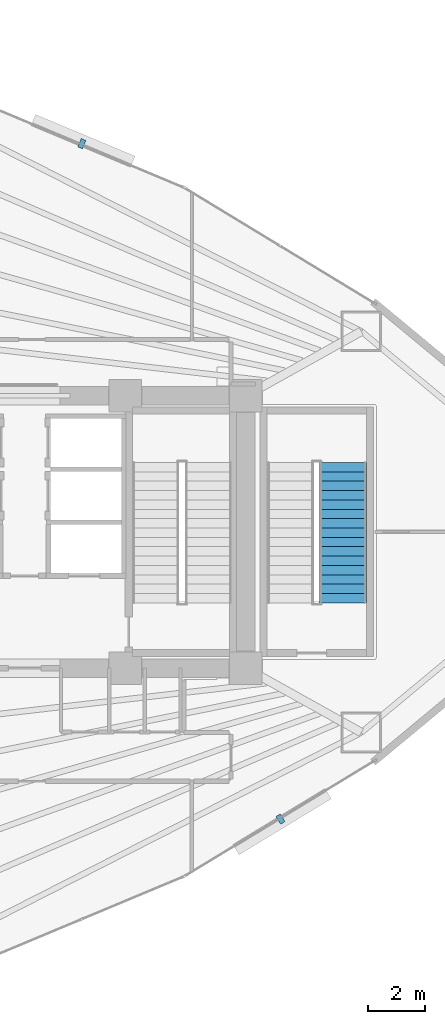
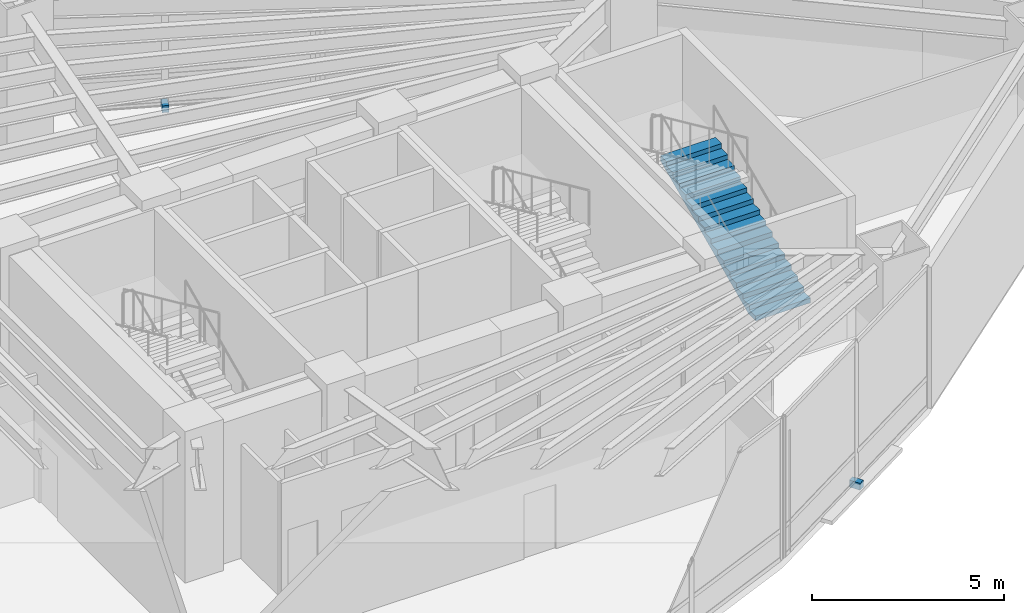
# One storey, part 16 of 18: 2 discrete accessories, 1 stair flight, 1 element without a shape of its own.
"""IFC4 building model written with IfcOpenShell, lengths in metres."""

from ifc_helpers import new_model, si_unit, direction, frame, origin, origin_2d, place, context, subcontext, project, spatial, polyline, rectangle, outline, extrude, material, type_object, element, aggregate, save


model = new_model("IFC4")

# Units and contexts
model_context = context("Model", 3, precision=1e-05, world=origin(), true_north=direction((0.0, 1.0)))
body_context = subcontext(model_context, "Body", "Model", "MODEL_VIEW")
ifc_project = project(units=[si_unit("LENGTHUNIT", "METRE"), si_unit("AREAUNIT", "SQUARE_METRE"), si_unit("VOLUMEUNIT", "CUBIC_METRE"), si_unit("PLANEANGLEUNIT", "RADIAN"), si_unit("MASSUNIT", "GRAM", prefix="KILO")], contexts=[model_context])

# Site, building, storey
site_placement = place(None, origin())
site = spatial("IfcSite", under=ifc_project, at=site_placement, CompositionType="ELEMENT")
building_placement = place(site_placement, origin())
building = spatial("IfcBuilding", under=site, at=building_placement, Name="Menara Vayukalpa", CompositionType="ELEMENT")
storey_placement = place(building_placement, frame((0.0, 0.0, 7.199951171875)))
storey = spatial("IfcBuildingStorey", under=building, at=storey_placement, Name="L01", CompositionType="ELEMENT", Elevation=7.199951171875)

# Stair, stair flight
ifc_material_1 = material(Name="Precast Concrete C40/50", Category="concrete")
stair_type = type_object("IfcStairType", Name="STR-T01", PredefinedType="DOUBLE_RETURN_STAIR", material=ifc_material_1)
stair_placement = place(storey_placement, origin())
stair = element("IfcStair", 1, at=stair_placement, inside=storey, type_object=stair_type, Name="L01 Podium Exit Stair ST-3", PredefinedType="DOUBLE_RETURN_STAIR")
ifc_material_2 = material(Name="Precast Concrete C40/50", Category="concrete")
stair_flight_type = type_object("IfcStairFlightType", Name="STF-T01", PredefinedType="STRAIGHT", material=ifc_material_2)
stair_flight_placement = place(storey_placement, frame((36.824951171875, 19.5, 0.0), z_axis=(0.0, 0.0, 1.0), x_axis=(0.0, 1.0, 0.0)))
stair_flight = element("IfcStairFlight", 2, at=stair_flight_placement, type_object=stair_flight_type, Name="ST-3 flight 1", NumberOfRisers=16, NumberOfTreads=15, PredefinedType="STRAIGHT", RiserHeight=0.15, TreadLength=0.33, context=body_context, shape_type="SweptSolid", body=[
    extrude(outline(polyline([(0.0, 0.0), (0.0, 0.14990234375), (0.330078125, 0.14990234375), (0.330078125, 0.300048828125), (0.659912109375, 0.300048828125), (0.659912109375, 0.449951171875), (0.989990234375, 0.449951171875), (0.989990234375, 0.60009765625), (1.320068359375, 0.60009765625), (1.320068359375, 0.75), (1.64990234375, 0.75), (1.64990234375, 0.89990234375), (1.97998046875, 0.89990234375), (1.97998046875, 1.050048828125), (2.31005859375, 1.050048828125), (2.31005859375, 1.199951171875), (2.639892578125, 1.199951171875), (2.639892578125, 1.35009765625), (2.969970703125, 1.35009765625), (2.969970703125, 1.5), (3.300048828125, 1.5), (3.300048828125, 1.64990234375), (3.6298828125, 1.64990234375), (3.6298828125, 1.800048828125), (3.9599609375, 1.800048828125), (3.9599609375, 1.949951171875), (4.2900390625, 1.949951171875), (4.2900390625, 2.10009765625), (4.6201171875, 2.10009765625), (4.6201171875, 2.25), (4.949951171875, 2.25), (4.949951171875, 2.39990234375), (4.949951171875, 2.08544921875), (0.3623046875, 0.0), (0.0, 0.0)])), frame((0.0, 0.824951171875, 0.0), z_axis=(0.0, -1.0, 0.0), x_axis=(1.0, 0.0, 0.0)), (0.0, 0.0, 1.0), 1.64990234375),
])
aggregate(stair, [stair_flight])

# Discrete accessories
ifc_material_3 = material(Name="Stainless Steel 316 Sunshade Bracket", Category="steel")
discrete_accessory_type = type_object("IfcDiscreteAccessoryType", Name="ACC-BRK1", PredefinedType="BRACKET", material=ifc_material_3)
for number, where, z_axis, x_axis, name in (
    (3, (27.61962890625, 35.68798828125, -0.16015625), (0.0, 0.0, 1.0), (-0.922544824647, 0.385889940938, 0.0), "L01 Terracotta Sunshade Bracket 05"),
    (4, (34.622802734375, 11.878662109375, -0.16015625), (0.0, 0.0, 1.0), (0.85466730962, 0.519176068272, 0.0), "L01 Terracotta Sunshade Bracket 17"),
):
    element("IfcDiscreteAccessory", number, at=place(storey_placement, frame(where, z_axis=z_axis, x_axis=x_axis)), inside=storey, type_object=discrete_accessory_type, Name=name, PredefinedType="BRACKET", context=body_context, shape_type="SweptSolid", body=[
        extrude(rectangle(XDim=0.179931640625, YDim=0.320068359375, at=origin_2d()), origin(), (0.0, 0.0, 1.0), 0.219970703125),
    ])

save(model, "model.ifc")
